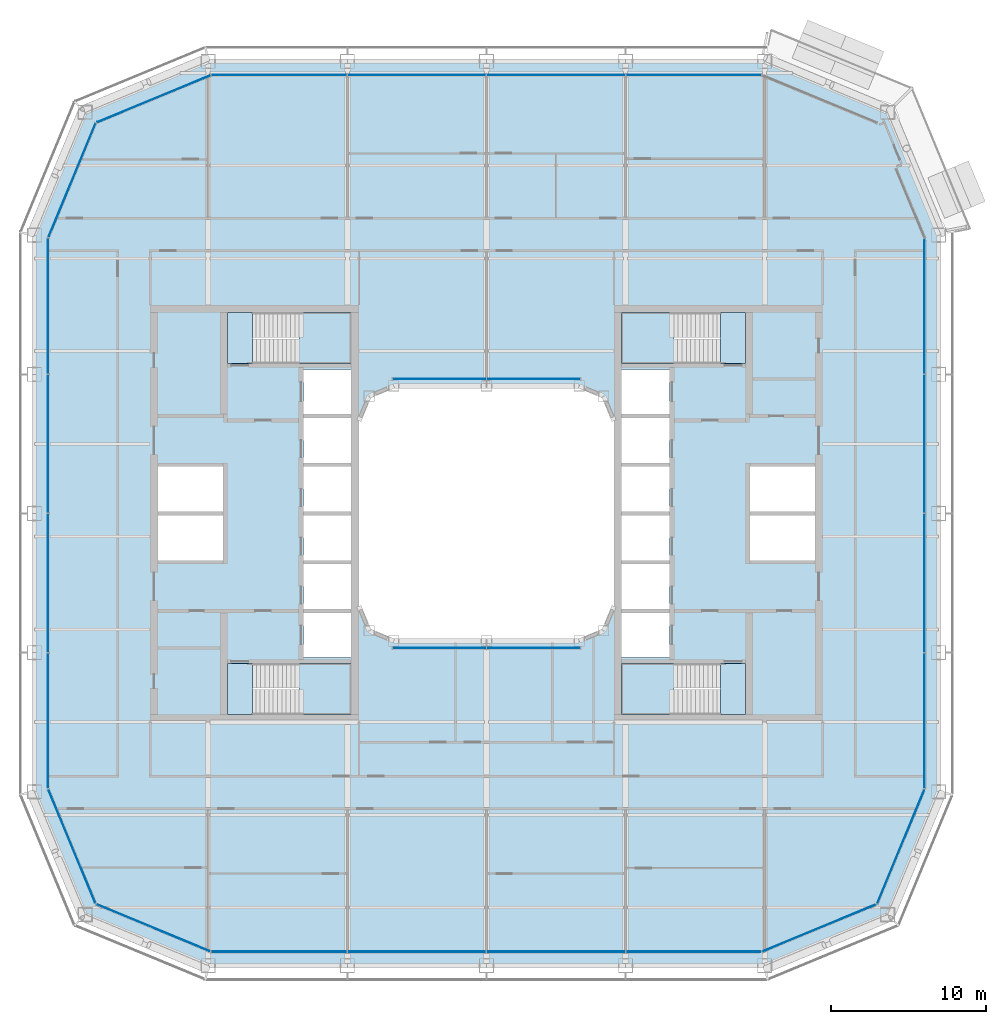
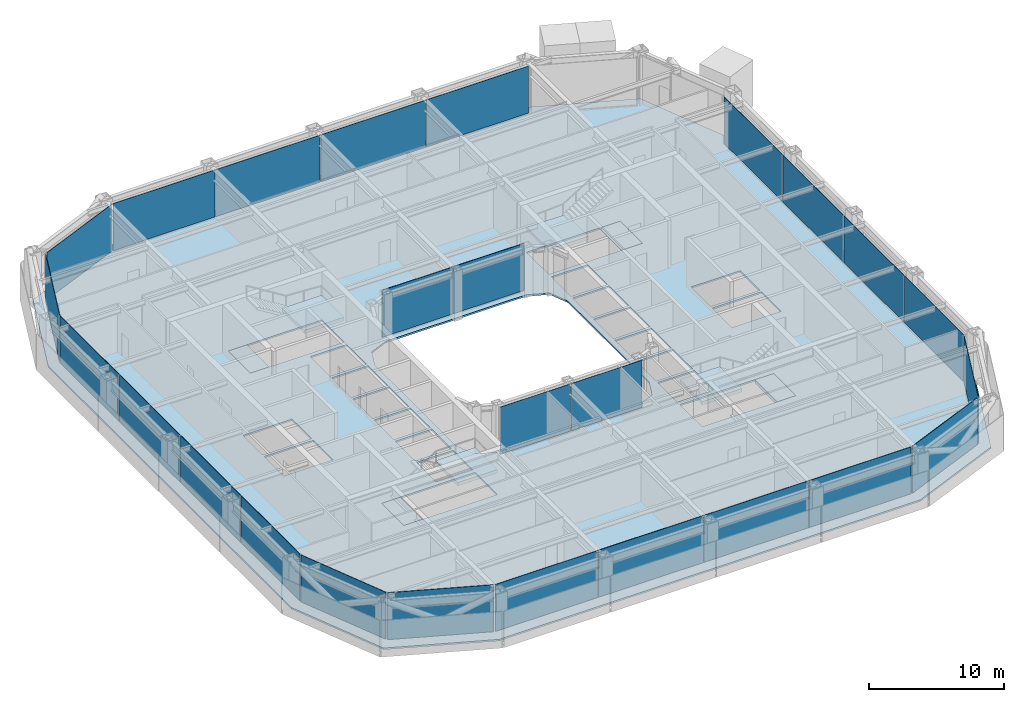
# One storey, part 10 of 24: 26 plates, 9 slabs, 16 elements without a shape of their own.
"""IFC4 building model written with IfcOpenShell, lengths in metres."""

from ifc_helpers import new_model, si_unit, direction, frame, origin, origin_2d, place, context, subcontext, project, spatial, polyline, rectangle, outline, extrude, material, layer, layer_set, type_object, element, aggregate, save


model = new_model("IFC4")

# Units and contexts
model_context = context("Model", 3, precision=1e-05, world=origin(), true_north=direction((0.0, 1.0)))
body_context = subcontext(model_context, "Body", "Model", "MODEL_VIEW")
ifc_project = project(units=[si_unit("LENGTHUNIT", "METRE"), si_unit("AREAUNIT", "SQUARE_METRE"), si_unit("VOLUMEUNIT", "CUBIC_METRE"), si_unit("PLANEANGLEUNIT", "RADIAN"), si_unit("MASSUNIT", "GRAM", prefix="KILO")], contexts=[model_context])

# Site, building, storey
site_placement = place(None, origin())
site = spatial("IfcSite", under=ifc_project, at=site_placement, CompositionType="ELEMENT")
building_placement = place(site_placement, origin())
building = spatial("IfcBuilding", under=site, at=building_placement, Name="Siwar Civic Tower", CompositionType="ELEMENT")
storey_placement = place(building_placement, frame((0.0, 0.0, 113.699951171875)))
storey = spatial("IfcBuildingStorey", under=building, at=storey_placement, Name="L24", CompositionType="ELEMENT", Elevation=113.699951171875)

# Stair, slabs
ifc_material_1 = material(Name="Concrete C40/50", Category="concrete")
stair_type = type_object("IfcStairType", Name="CORE-STAIR", PredefinedType="TWO_STRAIGHT_RUN_STAIR", material=ifc_material_1)
stair_1_placement = place(storey_placement, origin())
stair_1 = element("IfcStair", 1, at=stair_1_placement, inside=storey, type_object=stair_type, Name="Exit stair ST1", PredefinedType="TWO_STRAIGHT_RUN_STAIR")
ifc_material_2 = material(Name="Concrete C40/50", Category="concrete")
ifc_layer_1 = layer(ifc_material_2, 0.300048828125)
ifc_layer_set_1 = layer_set([ifc_layer_1], Name="Concrete C40/50")
slab_type_1 = type_object("IfcSlabType", Name="CORE-STAIR-LANDING", PredefinedType="LANDING", material=ifc_layer_set_1)
slab_1_placement = place(storey_placement, frame((0.0, 0.0, -0.300048828125)))
slab_1 = element("IfcSlab", 2, at=slab_1_placement, type_object=slab_type_1, Name="ST1 landing 1", PredefinedType="LANDING", context=body_context, shape_type="SweptSolid", body=[
    extrude(outline(polyline([(-15.14990234375, 13.0), (-16.75, 13.0), (-16.75, 9.699951171875), (-15.14990234375, 9.699951171875), (-15.14990234375, 13.0)])), origin(), (0.0, 0.0, 1.0), 0.300048828125),
])
slab_2_placement = place(storey_placement, frame((0.0, 0.0, 1.949951171875)))
slab_2 = element("IfcSlab", 3, at=slab_2_placement, type_object=slab_type_1, Name="ST1 landing 2", PredefinedType="LANDING", context=body_context, shape_type="SweptSolid", body=[
    extrude(outline(polyline([(-8.75, 13.0), (-12.139892578125, 13.0), (-12.139892578125, 9.699951171875), (-8.75, 9.699951171875), (-8.75, 13.0)])), origin(), (0.0, 0.0, 1.0), 0.300048828125),
])
aggregate(stair_1, [slab_1, slab_2])

stair_2_placement = place(storey_placement, origin())
stair_2 = element("IfcStair", 4, at=stair_2_placement, inside=storey, type_object=stair_type, Name="Exit stair ST2", PredefinedType="TWO_STRAIGHT_RUN_STAIR")
slab_3_placement = place(storey_placement, frame((0.0, 0.0, -0.300048828125)))
slab_3 = element("IfcSlab", 5, at=slab_3_placement, type_object=slab_type_1, Name="ST2 landing 1", PredefinedType="LANDING", context=body_context, shape_type="SweptSolid", body=[
    extrude(outline(polyline([(-15.14990234375, -9.699951171875), (-16.75, -9.699951171875), (-16.75, -13.0), (-15.14990234375, -13.0), (-15.14990234375, -9.699951171875)])), origin(), (0.0, 0.0, 1.0), 0.300048828125),
])
slab_4_placement = place(storey_placement, frame((0.0, 0.0, 1.949951171875)))
slab_4 = element("IfcSlab", 6, at=slab_4_placement, type_object=slab_type_1, Name="ST2 landing 2", PredefinedType="LANDING", context=body_context, shape_type="SweptSolid", body=[
    extrude(outline(polyline([(-8.75, -9.699951171875), (-12.139892578125, -9.699951171875), (-12.139892578125, -13.0), (-8.75, -13.0), (-8.75, -9.699951171875)])), origin(), (0.0, 0.0, 1.0), 0.300048828125),
])
aggregate(stair_2, [slab_3, slab_4])

stair_3_placement = place(storey_placement, origin())
stair_3 = element("IfcStair", 7, at=stair_3_placement, inside=storey, type_object=stair_type, Name="Exit stair ST3", PredefinedType="TWO_STRAIGHT_RUN_STAIR")
slab_5_placement = place(storey_placement, frame((0.0, 0.0, -0.300048828125)))
slab_5 = element("IfcSlab", 8, at=slab_5_placement, type_object=slab_type_1, Name="ST3 landing 1", PredefinedType="LANDING", context=body_context, shape_type="SweptSolid", body=[
    extrude(outline(polyline([(15.14990234375, 9.699951171875), (16.75, 9.699951171875), (16.75, 13.0), (15.14990234375, 13.0), (15.14990234375, 9.699951171875)])), origin(), (0.0, 0.0, 1.0), 0.300048828125),
])
slab_6_placement = place(storey_placement, frame((0.0, 0.0, 1.949951171875)))
slab_6 = element("IfcSlab", 9, at=slab_6_placement, type_object=slab_type_1, Name="ST3 landing 2", PredefinedType="LANDING", context=body_context, shape_type="SweptSolid", body=[
    extrude(outline(polyline([(8.75, 9.699951171875), (12.139892578125, 9.699951171875), (12.139892578125, 13.0), (8.75, 13.0), (8.75, 9.699951171875)])), origin(), (0.0, 0.0, 1.0), 0.300048828125),
])
aggregate(stair_3, [slab_5, slab_6])

stair_4_placement = place(storey_placement, origin())
stair_4 = element("IfcStair", 10, at=stair_4_placement, inside=storey, type_object=stair_type, Name="Exit stair ST4", PredefinedType="TWO_STRAIGHT_RUN_STAIR")
slab_7_placement = place(storey_placement, frame((0.0, 0.0, -0.300048828125)))
slab_7 = element("IfcSlab", 11, at=slab_7_placement, type_object=slab_type_1, Name="ST4 landing 1", PredefinedType="LANDING", context=body_context, shape_type="SweptSolid", body=[
    extrude(outline(polyline([(15.14990234375, -13.0), (16.75, -13.0), (16.75, -9.699951171875), (15.14990234375, -9.699951171875), (15.14990234375, -13.0)])), origin(), (0.0, 0.0, 1.0), 0.300048828125),
])
slab_8_placement = place(storey_placement, frame((0.0, 0.0, 1.949951171875)))
slab_8 = element("IfcSlab", 12, at=slab_8_placement, type_object=slab_type_1, Name="ST4 landing 2", PredefinedType="LANDING", context=body_context, shape_type="SweptSolid", body=[
    extrude(outline(polyline([(8.75, -13.0), (12.139892578125, -13.0), (12.139892578125, -9.699951171875), (8.75, -9.699951171875), (8.75, -13.0)])), origin(), (0.0, 0.0, 1.0), 0.300048828125),
])
aggregate(stair_4, [slab_7, slab_8])

# Curtain wall, plates
ifc_material_3 = material(Name="Aluminium and glass", Category="aluminium")
ifc_layer_2 = layer(ifc_material_3, 0.199951171875)
ifc_layer_set_2 = layer_set([ifc_layer_2], Name="Aluminium and glass")
curtain_wall_type_1 = type_object("IfcCurtainWallType", Name="ENV-CW-B", PredefinedType="NOTDEFINED", material=ifc_layer_set_2)
curtain_wall_1_placement = place(storey_placement, origin())
curtain_wall_1 = element("IfcCurtainWall", 13, at=curtain_wall_1_placement, inside=storey, type_object=curtain_wall_type_1, Name="Curtain wall B S", PredefinedType="NOTDEFINED")
ifc_material_4 = material(Name="Glass clear laminated", Category="glass")
ifc_layer_3 = layer(ifc_material_4, 0.033935546875)
ifc_layer_set_3 = layer_set([ifc_layer_3], Name="Glass clear laminated")
plate_type_1 = type_object("IfcPlateType", Name="ENV-PANEL-B", PredefinedType="CURTAIN_PANEL", material=ifc_layer_set_3)
plate_1_placement = place(storey_placement, frame((-13.410400390625, -28.35009765625, 0.10986328125), z_axis=(0.0, 0.0, 1.0), x_axis=(1.0, 0.0, 0.0)))
plate_1 = element("IfcPlate", 14, at=plate_1_placement, type_object=plate_type_1, Name="Curtain panel B S 1", PredefinedType="CURTAIN_PANEL", context=body_context, shape_type="SweptSolid", body=[
    extrude(rectangle(XDim=8.755859375, YDim=0.033935546875, at=origin_2d()), origin(), (0.0, 0.0, 1.0), 4.239990234375),
])
plate_2_placement = place(storey_placement, frame((-4.5, -28.35009765625, 0.10986328125), z_axis=(0.0, 0.0, 1.0), x_axis=(1.0, 0.0, 0.0)))
plate_2 = element("IfcPlate", 15, at=plate_2_placement, type_object=plate_type_1, Name="Curtain panel B S 2", PredefinedType="CURTAIN_PANEL", context=body_context, shape_type="SweptSolid", body=[
    extrude(rectangle(XDim=8.93505859375, YDim=0.033935546875, at=origin_2d()), origin(), (0.0, 0.0, 1.0), 4.239990234375),
])
plate_3_placement = place(storey_placement, frame((4.5, -28.35009765625, 0.10986328125), z_axis=(0.0, 0.0, 1.0), x_axis=(1.0, 0.0, 0.0)))
plate_3 = element("IfcPlate", 16, at=plate_3_placement, type_object=plate_type_1, Name="Curtain panel B S 3", PredefinedType="CURTAIN_PANEL", context=body_context, shape_type="SweptSolid", body=[
    extrude(rectangle(XDim=8.93505859375, YDim=0.033935546875, at=origin_2d()), origin(), (0.0, 0.0, 1.0), 4.239990234375),
])
plate_4_placement = place(storey_placement, frame((13.369873046875, -28.35009765625, 0.10986328125), z_axis=(0.0, 0.0, 1.0), x_axis=(1.0, 0.0, 0.0)))
plate_4 = element("IfcPlate", 17, at=plate_4_placement, type_object=plate_type_1, Name="Curtain panel B S 4", PredefinedType="CURTAIN_PANEL", context=body_context, shape_type="SweptSolid", body=[
    extrude(rectangle(XDim=8.6748046875, YDim=0.033935546875, at=origin_2d()), origin(), (0.0, 0.0, 1.0), 4.239990234375),
])
aggregate(curtain_wall_1, [plate_1, plate_2, plate_3, plate_4])

curtain_wall_2_placement = place(storey_placement, origin())
curtain_wall_2 = element("IfcCurtainWall", 18, at=curtain_wall_2_placement, inside=storey, type_object=curtain_wall_type_1, Name="Curtain wall B E", PredefinedType="NOTDEFINED")
plate_5_placement = place(storey_placement, frame((28.35009765625, -13.410400390625, 0.10986328125), z_axis=(0.0, 0.0, 1.0), x_axis=(0.0, 1.0, 0.0)))
plate_5 = element("IfcPlate", 19, at=plate_5_placement, type_object=plate_type_1, Name="Curtain panel B E 1", PredefinedType="CURTAIN_PANEL", context=body_context, shape_type="SweptSolid", body=[
    extrude(rectangle(XDim=8.755859375, YDim=0.033935546875, at=origin_2d()), origin(), (0.0, 0.0, 1.0), 4.239990234375),
])
plate_6_placement = place(storey_placement, frame((28.35009765625, -4.5, 0.10986328125), z_axis=(0.0, 0.0, 1.0), x_axis=(0.0, 1.0, 0.0)))
plate_6 = element("IfcPlate", 20, at=plate_6_placement, type_object=plate_type_1, Name="Curtain panel B E 2", PredefinedType="CURTAIN_PANEL", context=body_context, shape_type="SweptSolid", body=[
    extrude(rectangle(XDim=8.93505859375, YDim=0.033935546875, at=origin_2d()), origin(), (0.0, 0.0, 1.0), 4.239990234375),
])
plate_7_placement = place(storey_placement, frame((28.35009765625, 4.5, 0.10986328125), z_axis=(0.0, 0.0, 1.0), x_axis=(0.0, 1.0, 0.0)))
plate_7 = element("IfcPlate", 21, at=plate_7_placement, type_object=plate_type_1, Name="Curtain panel B E 3", PredefinedType="CURTAIN_PANEL", context=body_context, shape_type="SweptSolid", body=[
    extrude(rectangle(XDim=8.93505859375, YDim=0.033935546875, at=origin_2d()), origin(), (0.0, 0.0, 1.0), 4.239990234375),
])
plate_8_placement = place(storey_placement, frame((28.35009765625, 13.369873046875, 0.10986328125), z_axis=(0.0, 0.0, 1.0), x_axis=(0.0, 1.0, 0.0)))
plate_8 = element("IfcPlate", 22, at=plate_8_placement, type_object=plate_type_1, Name="Curtain panel B E 4", PredefinedType="CURTAIN_PANEL", context=body_context, shape_type="SweptSolid", body=[
    extrude(rectangle(XDim=8.6748046875, YDim=0.033935546875, at=origin_2d()), origin(), (0.0, 0.0, 1.0), 4.239990234375),
])
aggregate(curtain_wall_2, [plate_5, plate_6, plate_7, plate_8])

curtain_wall_3_placement = place(storey_placement, origin())
curtain_wall_3 = element("IfcCurtainWall", 23, at=curtain_wall_3_placement, inside=storey, type_object=curtain_wall_type_1, Name="Curtain wall B N", PredefinedType="NOTDEFINED")
plate_9_placement = place(storey_placement, frame((13.410400390625, 28.35009765625, 0.10986328125), z_axis=(0.0, 0.0, 1.0), x_axis=(-1.0, 0.0, 0.0)))
plate_9 = element("IfcPlate", 24, at=plate_9_placement, type_object=plate_type_1, Name="Curtain panel B N 1", PredefinedType="CURTAIN_PANEL", context=body_context, shape_type="SweptSolid", body=[
    extrude(rectangle(XDim=8.755859375, YDim=0.033935546875, at=origin_2d()), origin(), (0.0, 0.0, 1.0), 4.239990234375),
])
plate_10_placement = place(storey_placement, frame((4.5, 28.35009765625, 0.10986328125), z_axis=(0.0, 0.0, 1.0), x_axis=(-1.0, 0.0, 0.0)))
plate_10 = element("IfcPlate", 25, at=plate_10_placement, type_object=plate_type_1, Name="Curtain panel B N 2", PredefinedType="CURTAIN_PANEL", context=body_context, shape_type="SweptSolid", body=[
    extrude(rectangle(XDim=8.93505859375, YDim=0.033935546875, at=origin_2d()), origin(), (0.0, 0.0, 1.0), 4.239990234375),
])
plate_11_placement = place(storey_placement, frame((-4.5, 28.35009765625, 0.10986328125), z_axis=(0.0, 0.0, 1.0), x_axis=(-1.0, 0.0, 0.0)))
plate_11 = element("IfcPlate", 26, at=plate_11_placement, type_object=plate_type_1, Name="Curtain panel B N 3", PredefinedType="CURTAIN_PANEL", context=body_context, shape_type="SweptSolid", body=[
    extrude(rectangle(XDim=8.93505859375, YDim=0.033935546875, at=origin_2d()), origin(), (0.0, 0.0, 1.0), 4.239990234375),
])
plate_12_placement = place(storey_placement, frame((-13.369873046875, 28.35009765625, 0.10986328125), z_axis=(0.0, 0.0, 1.0), x_axis=(-1.0, 0.0, 0.0)))
plate_12 = element("IfcPlate", 27, at=plate_12_placement, type_object=plate_type_1, Name="Curtain panel B N 4", PredefinedType="CURTAIN_PANEL", context=body_context, shape_type="SweptSolid", body=[
    extrude(rectangle(XDim=8.6748046875, YDim=0.033935546875, at=origin_2d()), origin(), (0.0, 0.0, 1.0), 4.239990234375),
])
aggregate(curtain_wall_3, [plate_9, plate_10, plate_11, plate_12])

curtain_wall_4_placement = place(storey_placement, origin())
curtain_wall_4 = element("IfcCurtainWall", 28, at=curtain_wall_4_placement, inside=storey, type_object=curtain_wall_type_1, Name="Curtain wall B W", PredefinedType="NOTDEFINED")
plate_13_placement = place(storey_placement, frame((-28.35009765625, 13.410400390625, 0.10986328125), z_axis=(0.0, 0.0, 1.0), x_axis=(0.0, -1.0, 0.0)))
plate_13 = element("IfcPlate", 29, at=plate_13_placement, type_object=plate_type_1, Name="Curtain panel B W 1", PredefinedType="CURTAIN_PANEL", context=body_context, shape_type="SweptSolid", body=[
    extrude(rectangle(XDim=8.755859375, YDim=0.033935546875, at=origin_2d()), origin(), (0.0, 0.0, 1.0), 4.239990234375),
])
plate_14_placement = place(storey_placement, frame((-28.35009765625, 4.5, 0.10986328125), z_axis=(0.0, 0.0, 1.0), x_axis=(0.0, -1.0, 0.0)))
plate_14 = element("IfcPlate", 30, at=plate_14_placement, type_object=plate_type_1, Name="Curtain panel B W 2", PredefinedType="CURTAIN_PANEL", context=body_context, shape_type="SweptSolid", body=[
    extrude(rectangle(XDim=8.93505859375, YDim=0.033935546875, at=origin_2d()), origin(), (0.0, 0.0, 1.0), 4.239990234375),
])
plate_15_placement = place(storey_placement, frame((-28.35009765625, -4.5, 0.10986328125), z_axis=(0.0, 0.0, 1.0), x_axis=(0.0, -1.0, 0.0)))
plate_15 = element("IfcPlate", 31, at=plate_15_placement, type_object=plate_type_1, Name="Curtain panel B W 3", PredefinedType="CURTAIN_PANEL", context=body_context, shape_type="SweptSolid", body=[
    extrude(rectangle(XDim=8.93505859375, YDim=0.033935546875, at=origin_2d()), origin(), (0.0, 0.0, 1.0), 4.239990234375),
])
plate_16_placement = place(storey_placement, frame((-28.35009765625, -13.369873046875, 0.10986328125), z_axis=(0.0, 0.0, 1.0), x_axis=(0.0, -1.0, 0.0)))
plate_16 = element("IfcPlate", 32, at=plate_16_placement, type_object=plate_type_1, Name="Curtain panel B W 4", PredefinedType="CURTAIN_PANEL", context=body_context, shape_type="SweptSolid", body=[
    extrude(rectangle(XDim=8.6748046875, YDim=0.033935546875, at=origin_2d()), origin(), (0.0, 0.0, 1.0), 4.239990234375),
])
aggregate(curtain_wall_4, [plate_13, plate_14, plate_15, plate_16])

# Curtain wall, plate
ifc_material_5 = material(Name="Aluminium clad insulated panel", Category="aluminium")
ifc_layer_4 = layer(ifc_material_5, 0.199951171875)
ifc_layer_set_4 = layer_set([ifc_layer_4], Name="Aluminium clad insulated panel")
curtain_wall_type_2 = type_object("IfcCurtainWallType", Name="ENV-CW-BX", PredefinedType="NOTDEFINED", material=ifc_layer_set_4)
curtain_wall_5_placement = place(storey_placement, origin())
curtain_wall_5 = element("IfcCurtainWall", 33, at=curtain_wall_5_placement, inside=storey, type_object=curtain_wall_type_2, Name="Curtain wall B SE1", PredefinedType="NOTDEFINED")
ifc_material_6 = material(Name="Aluminium clad insulated panel", Category="aluminium")
ifc_layer_5 = layer(ifc_material_6, 0.033935546875)
ifc_layer_set_5 = layer_set([ifc_layer_5], Name="Aluminium clad insulated panel")
plate_type_2 = type_object("IfcPlateType", Name="ENV-PANEL-BX", PredefinedType="CURTAIN_PANEL", material=ifc_layer_set_5)
plate_17_placement = place(storey_placement, frame((21.506103515625, -26.823486328125, 0.10986328125), z_axis=(0.0, 0.0, 1.0), x_axis=(0.923879532511, 0.382683432365, 0.0)))
plate_17 = element("IfcPlate", 34, at=plate_17_placement, type_object=plate_type_2, Name="Curtain panel B SE1 1", PredefinedType="CURTAIN_PANEL", context=body_context, shape_type="SweptSolid", body=[
    extrude(rectangle(XDim=7.912353515625, YDim=0.033935546875, at=origin_2d()), origin(), (0.0, 0.0, 1.0), 4.239990234375),
])
aggregate(curtain_wall_5, [plate_17])

curtain_wall_6_placement = place(storey_placement, origin())
curtain_wall_6 = element("IfcCurtainWall", 35, at=curtain_wall_6_placement, inside=storey, type_object=curtain_wall_type_2, Name="Curtain wall B SE2", PredefinedType="NOTDEFINED")
plate_18_placement = place(storey_placement, frame((26.79248046875, -21.5810546875, 0.10986328125), z_axis=(0.0, 0.0, 1.0), x_axis=(0.382683432365, 0.923879532511, 0.0)))
plate_18 = element("IfcPlate", 36, at=plate_18_placement, type_object=plate_type_2, Name="Curtain panel B SE2 1", PredefinedType="CURTAIN_PANEL", context=body_context, shape_type="SweptSolid", body=[
    extrude(rectangle(XDim=7.912353515625, YDim=0.033935546875, at=origin_2d()), origin(), (0.0, 0.0, 1.0), 4.239990234375),
])
aggregate(curtain_wall_6, [plate_18])

curtain_wall_7_placement = place(storey_placement, origin())
curtain_wall_7 = element("IfcCurtainWall", 37, at=curtain_wall_7_placement, inside=storey, type_object=curtain_wall_type_2, Name="Curtain wall B NW1", PredefinedType="NOTDEFINED")
plate_19_placement = place(storey_placement, frame((-21.506103515625, 26.823486328125, 0.10986328125), z_axis=(0.0, 0.0, 1.0), x_axis=(-0.923879532511, -0.382683432365, 0.0)))
plate_19 = element("IfcPlate", 38, at=plate_19_placement, type_object=plate_type_2, Name="Curtain panel B NW1 1", PredefinedType="CURTAIN_PANEL", context=body_context, shape_type="SweptSolid", body=[
    extrude(rectangle(XDim=7.912353515625, YDim=0.033935546875, at=origin_2d()), origin(), (0.0, 0.0, 1.0), 4.239990234375),
])
aggregate(curtain_wall_7, [plate_19])

curtain_wall_8_placement = place(storey_placement, origin())
curtain_wall_8 = element("IfcCurtainWall", 39, at=curtain_wall_8_placement, inside=storey, type_object=curtain_wall_type_2, Name="Curtain wall B NW2", PredefinedType="NOTDEFINED")
plate_20_placement = place(storey_placement, frame((-26.79248046875, 21.5810546875, 0.10986328125), z_axis=(0.0, 0.0, 1.0), x_axis=(-0.382683432365, -0.923879532511, 0.0)))
plate_20 = element("IfcPlate", 40, at=plate_20_placement, type_object=plate_type_2, Name="Curtain panel B NW2 1", PredefinedType="CURTAIN_PANEL", context=body_context, shape_type="SweptSolid", body=[
    extrude(rectangle(XDim=7.912353515625, YDim=0.033935546875, at=origin_2d()), origin(), (0.0, 0.0, 1.0), 4.239990234375),
])
aggregate(curtain_wall_8, [plate_20])

curtain_wall_9_placement = place(storey_placement, origin())
curtain_wall_9 = element("IfcCurtainWall", 41, at=curtain_wall_9_placement, inside=storey, type_object=curtain_wall_type_2, Name="Curtain wall B SW1", PredefinedType="NOTDEFINED")
plate_21_placement = place(storey_placement, frame((-26.823486328125, -21.506103515625, 0.10986328125), z_axis=(0.0, 0.0, 1.0), x_axis=(0.382683432365, -0.923879532511, 0.0)))
plate_21 = element("IfcPlate", 42, at=plate_21_placement, type_object=plate_type_2, Name="Curtain panel B SW1 1", PredefinedType="CURTAIN_PANEL", context=body_context, shape_type="SweptSolid", body=[
    extrude(rectangle(XDim=7.912353515625, YDim=0.033935546875, at=origin_2d()), origin(), (0.0, 0.0, 1.0), 4.239990234375),
])
aggregate(curtain_wall_9, [plate_21])

curtain_wall_10_placement = place(storey_placement, origin())
curtain_wall_10 = element("IfcCurtainWall", 43, at=curtain_wall_10_placement, inside=storey, type_object=curtain_wall_type_2, Name="Curtain wall B SW2", PredefinedType="NOTDEFINED")
plate_22_placement = place(storey_placement, frame((-21.5810546875, -26.79248046875, 0.10986328125), z_axis=(0.0, 0.0, 1.0), x_axis=(0.923879532511, -0.382683432365, 0.0)))
plate_22 = element("IfcPlate", 44, at=plate_22_placement, type_object=plate_type_2, Name="Curtain panel B SW2 1", PredefinedType="CURTAIN_PANEL", context=body_context, shape_type="SweptSolid", body=[
    extrude(rectangle(XDim=7.912353515625, YDim=0.033935546875, at=origin_2d()), origin(), (0.0, 0.0, 1.0), 4.239990234375),
])
aggregate(curtain_wall_10, [plate_22])

# Curtain wall, plates
ifc_material_7 = material(Name="Aluminium and glass", Category="aluminium")
ifc_layer_6 = layer(ifc_material_7, 0.179931640625)
ifc_layer_set_6 = layer_set([ifc_layer_6], Name="Aluminium and glass")
curtain_wall_type_3 = type_object("IfcCurtainWallType", Name="ENV-CW-W", PredefinedType="NOTDEFINED", material=ifc_layer_set_6)
curtain_wall_11_placement = place(storey_placement, origin())
curtain_wall_11 = element("IfcCurtainWall", 45, at=curtain_wall_11_placement, inside=storey, type_object=curtain_wall_type_3, Name="Curtain wall W WS", PredefinedType="NOTDEFINED")
ifc_material_8 = material(Name="Glass clear laminated", Category="glass")
ifc_layer_7 = layer(ifc_material_8, 0.031982421875)
ifc_layer_set_7 = layer_set([ifc_layer_7], Name="Glass clear laminated")
plate_type_3 = type_object("IfcPlateType", Name="ENV-PANEL-W", PredefinedType="CURTAIN_PANEL", material=ifc_layer_set_7)
plate_23_placement = place(storey_placement, frame((-3.045654296875, -8.7099609375, 0.10009765625), z_axis=(0.0, 0.0, 1.0), x_axis=(1.0, 0.0, 0.0)))
plate_23 = element("IfcPlate", 46, at=plate_23_placement, type_object=plate_type_3, Name="Curtain panel W WS 1", PredefinedType="CURTAIN_PANEL", context=body_context, shape_type="SweptSolid", body=[
    extrude(rectangle(XDim=6.031494140625, YDim=0.031982421875, at=origin_2d()), origin(), (0.0, 0.0, 1.0), 4.25),
])
plate_24_placement = place(storey_placement, frame((3.045654296875, -8.7099609375, 0.10009765625), z_axis=(0.0, 0.0, 1.0), x_axis=(1.0, 0.0, 0.0)))
plate_24 = element("IfcPlate", 47, at=plate_24_placement, type_object=plate_type_3, Name="Curtain panel W WS 2", PredefinedType="CURTAIN_PANEL", context=body_context, shape_type="SweptSolid", body=[
    extrude(rectangle(XDim=6.031494140625, YDim=0.031982421875, at=origin_2d()), origin(), (0.0, 0.0, 1.0), 4.25),
])
aggregate(curtain_wall_11, [plate_23, plate_24])

curtain_wall_12_placement = place(storey_placement, origin())
curtain_wall_12 = element("IfcCurtainWall", 48, at=curtain_wall_12_placement, inside=storey, type_object=curtain_wall_type_3, Name="Curtain wall W WN", PredefinedType="NOTDEFINED")
plate_25_placement = place(storey_placement, frame((3.045654296875, 8.7099609375, 0.10009765625), z_axis=(0.0, 0.0, 1.0), x_axis=(-1.0, 0.0, 0.0)))
plate_25 = element("IfcPlate", 49, at=plate_25_placement, type_object=plate_type_3, Name="Curtain panel W WN 1", PredefinedType="CURTAIN_PANEL", context=body_context, shape_type="SweptSolid", body=[
    extrude(rectangle(XDim=6.031494140625, YDim=0.031982421875, at=origin_2d()), origin(), (0.0, 0.0, 1.0), 4.25),
])
plate_26_placement = place(storey_placement, frame((-3.045654296875, 8.7099609375, 0.10009765625), z_axis=(0.0, 0.0, 1.0), x_axis=(-1.0, 0.0, 0.0)))
plate_26 = element("IfcPlate", 50, at=plate_26_placement, type_object=plate_type_3, Name="Curtain panel W WN 2", PredefinedType="CURTAIN_PANEL", context=body_context, shape_type="SweptSolid", body=[
    extrude(rectangle(XDim=6.031494140625, YDim=0.031982421875, at=origin_2d()), origin(), (0.0, 0.0, 1.0), 4.25),
])
aggregate(curtain_wall_12, [plate_25, plate_26])

# Slab
ifc_material_9 = material(Name="Concrete C40/50", Category="concrete")
ifc_layer_8 = layer(ifc_material_9, 0.14990234375)
ifc_layer_set_8 = layer_set([ifc_layer_8], Name="Concrete C40/50")
slab_type_2 = type_object("IfcSlabType", Name="STR-FLOOR-DECK-150", PredefinedType="FLOOR", material=ifc_layer_set_8)
slab_9_placement = place(storey_placement, frame((0.0, 0.0, -0.14990234375)))
element("IfcSlab", 51, at=slab_9_placement, inside=storey, type_object=slab_type_2, Name="L24/slab/1", PredefinedType="FLOOR", context=body_context, shape_type="SweptSolid", body=[
    extrude(outline(polyline([(-18.0, -29.25), (18.0, -29.25), (25.954833984375, -25.954833984375), (29.25, -18.0), (29.25, 18.0), (25.954833984375, 25.954833984375), (18.0, 29.25), (-18.0, 29.25), (-25.954833984375, 25.954833984375), (-29.25, 18.0), (-29.25, -18.0), (-25.954833984375, -25.954833984375), (-18.0, -29.25)]), holes=[polyline([(21.25, 3.02490234375), (21.25, 0.125), (17.050048828125, 0.125), (17.050048828125, 3.02490234375), (21.25, 3.02490234375)]), polyline([(17.050048828125, -0.125), (21.25, -0.125), (21.25, -3.02490234375), (17.050048828125, -3.02490234375), (17.050048828125, -0.125)]), polyline([(16.75, 13.0), (16.75, 9.699951171875), (8.75, 9.699951171875), (8.75, 13.0), (16.75, 13.0)]), polyline([(8.75, -9.699951171875), (16.75, -9.699951171875), (16.75, -13.0), (8.75, -13.0), (8.75, -9.699951171875)]), polyline([(11.85009765625, 9.324951171875), (11.85009765625, 6.425048828125), (8.75, 6.425048828125), (8.75, 9.324951171875), (11.85009765625, 9.324951171875)]), polyline([(11.85009765625, 3.02490234375), (11.85009765625, 0.125), (8.75, 0.125), (8.75, 3.02490234375), (11.85009765625, 3.02490234375)]), polyline([(11.85009765625, -0.125), (11.85009765625, -3.02490234375), (8.75, -3.02490234375), (8.75, -0.125), (11.85009765625, -0.125)]), polyline([(11.85009765625, -3.27490234375), (11.85009765625, -6.175048828125), (8.75, -6.175048828125), (8.75, -3.27490234375), (11.85009765625, -3.27490234375)]), polyline([(8.75, 6.175048828125), (11.85009765625, 6.175048828125), (11.85009765625, 3.27490234375), (8.75, 3.27490234375), (8.75, 6.175048828125)]), polyline([(8.75, -6.425048828125), (11.85009765625, -6.425048828125), (11.85009765625, -9.324951171875), (8.75, -9.324951171875), (8.75, -6.425048828125)]), polyline([(-6.0, 8.25), (6.0, 8.25), (7.591064453125, 7.591064453125), (8.25, 6.0), (8.25, -6.0), (7.591064453125, -7.591064453125), (6.0, -8.25), (-6.0, -8.25), (-7.591064453125, -7.591064453125), (-8.25, -6.0), (-8.25, 6.0), (-7.591064453125, 7.591064453125), (-6.0, 8.25)]), polyline([(-8.75, 9.699951171875), (-16.75, 9.699951171875), (-16.75, 13.0), (-8.75, 13.0), (-8.75, 9.699951171875)]), polyline([(-8.75, 0.125), (-11.85009765625, 0.125), (-11.85009765625, 3.02490234375), (-8.75, 3.02490234375), (-8.75, 0.125)]), polyline([(-8.75, -6.175048828125), (-11.85009765625, -6.175048828125), (-11.85009765625, -3.27490234375), (-8.75, -3.27490234375), (-8.75, -6.175048828125)]), polyline([(-8.75, -9.324951171875), (-11.85009765625, -9.324951171875), (-11.85009765625, -6.425048828125), (-8.75, -6.425048828125), (-8.75, -9.324951171875)]), polyline([(-8.75, -13.0), (-16.75, -13.0), (-16.75, -9.699951171875), (-8.75, -9.699951171875), (-8.75, -13.0)]), polyline([(-11.85009765625, 6.425048828125), (-11.85009765625, 9.324951171875), (-8.75, 9.324951171875), (-8.75, 6.425048828125), (-11.85009765625, 6.425048828125)]), polyline([(-11.85009765625, 3.27490234375), (-11.85009765625, 6.175048828125), (-8.75, 6.175048828125), (-8.75, 3.27490234375), (-11.85009765625, 3.27490234375)]), polyline([(-11.85009765625, -3.02490234375), (-11.85009765625, -0.125), (-8.75, -0.125), (-8.75, -3.02490234375), (-11.85009765625, -3.02490234375)]), polyline([(-21.25, -3.02490234375), (-21.25, -0.125), (-17.050048828125, -0.125), (-17.050048828125, -3.02490234375), (-21.25, -3.02490234375)]), polyline([(-17.050048828125, 0.125), (-21.25, 0.125), (-21.25, 3.02490234375), (-17.050048828125, 3.02490234375), (-17.050048828125, 0.125)])]), origin(), (0.0, 0.0, 1.0), 0.14990234375),
])

save(model, "model.ifc")
